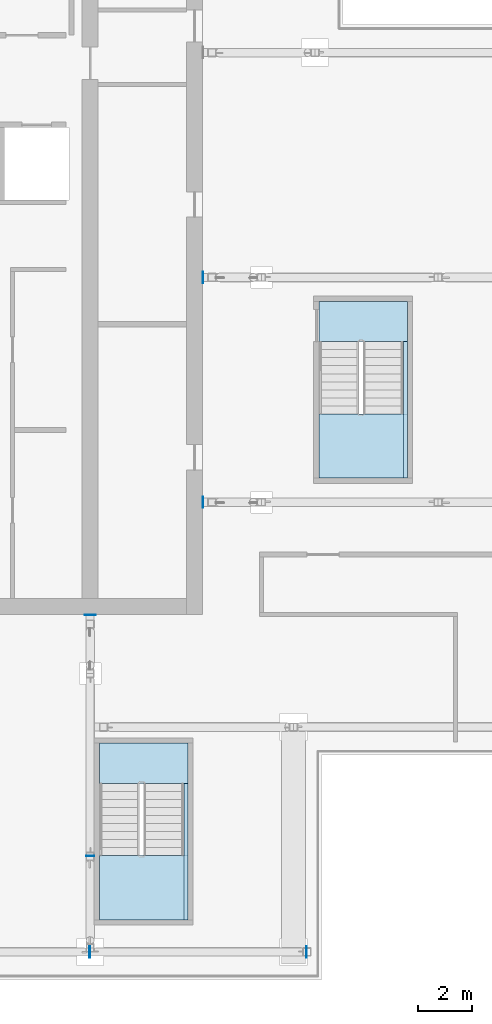
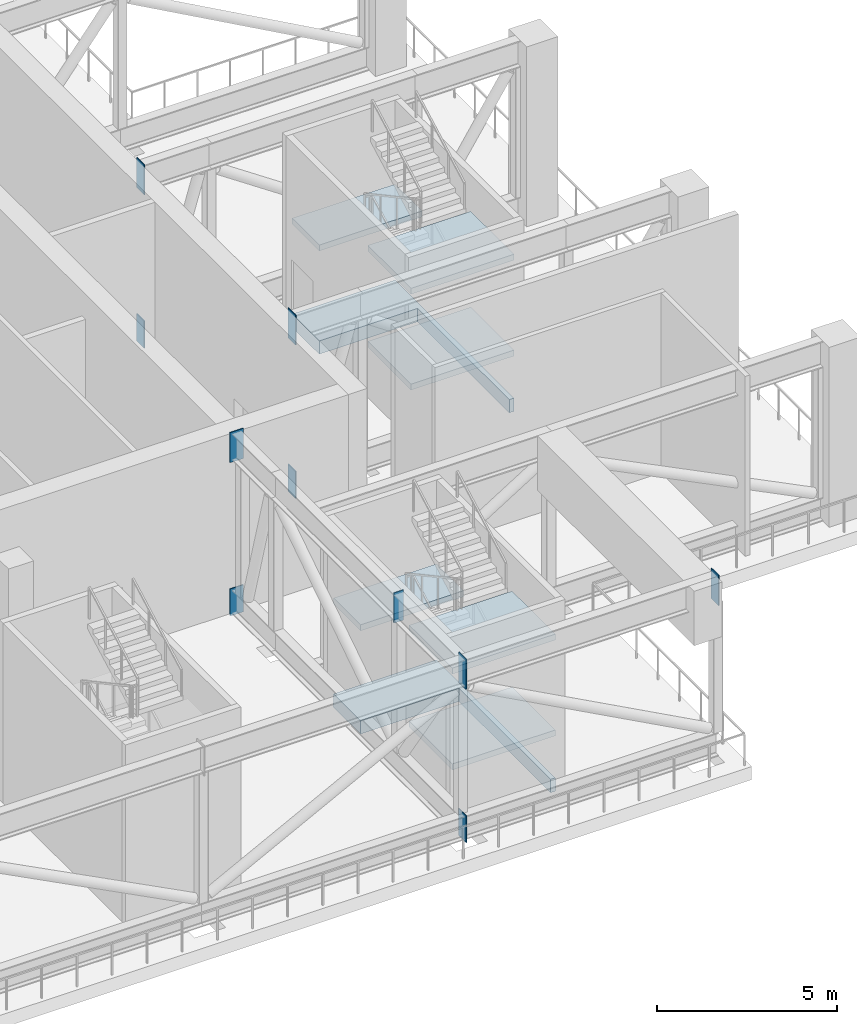
# One storey, part 8 of 24: 10 plates, 8 slabs, 2 elements without a shape of their own.
"""IFC4 building model written with IfcOpenShell, lengths in metres."""

from ifc_helpers import new_model, si_unit, direction, frame, origin, origin_2d, place, context, subcontext, project, spatial, polyline, rectangle, outline, extrude, material, layer, layer_set, type_object, element, aggregate, save


model = new_model("IFC4")

# Units and contexts
model_context = context("Model", 3, precision=1e-05, world=origin(), true_north=direction((0.0, 1.0)))
body_context = subcontext(model_context, "Body", "Model", "MODEL_VIEW")
ifc_project = project(units=[si_unit("LENGTHUNIT", "METRE"), si_unit("AREAUNIT", "SQUARE_METRE"), si_unit("VOLUMEUNIT", "CUBIC_METRE"), si_unit("PLANEANGLEUNIT", "RADIAN"), si_unit("MASSUNIT", "GRAM", prefix="KILO")], contexts=[model_context])

# Site, building, storey
site_placement = place(None, origin())
site = spatial("IfcSite", under=ifc_project, at=site_placement, CompositionType="ELEMENT")
building_placement = place(site_placement, origin())
building = spatial("IfcBuilding", under=site, at=building_placement, Name="Vermilion Ogive Tower", CompositionType="ELEMENT")
storey_placement = place(building_placement, frame((0.0, 0.0, 216.949951171875)))
storey = spatial("IfcBuildingStorey", under=building, at=storey_placement, Name="L57", CompositionType="ELEMENT", Elevation=216.949951171875)

# Plates
ifc_material_1 = material(Name="Steel S355", Category="steel")
ifc_layer_1 = layer(ifc_material_1, 0.030029296875)
ifc_layer_set_1 = layer_set([ifc_layer_1], Name="Cast-in embed plate 30")
plate_type_1 = type_object("IfcPlateType", Name="Cast-in embed plate 30", PredefinedType="USERDEFINED", material=ifc_layer_set_1)
plate_1_placement = place(storey_placement, frame((12.614990234375, -4.199951171875, -0.059814453125), z_axis=(0.0, 0.0, 1.0), x_axis=(1.0, 0.0, 0.0)))
element("IfcPlate", 1, at=plate_1_placement, inside=storey, type_object=plate_type_1, Name="Cast-in embed plate L57-TR-EWE-4.2-B1 end 1", ObjectType="EMBED PLATE", PredefinedType="USERDEFINED", context=body_context, shape_type="SweptSolid", body=[
    extrude(rectangle(XDim=0.030029296875, YDim=0.419921875, at=origin_2d()), origin(), (0.0, 0.0, 1.0), 0.919921875),
])
plate_2_placement = place(storey_placement, frame((12.614990234375, -4.199951171875, 5.14013671875), z_axis=(0.0, 0.0, 1.0), x_axis=(1.0, 0.0, 0.0)))
element("IfcPlate", 2, at=plate_2_placement, inside=storey, type_object=plate_type_1, Name="Cast-in embed plate L57-TR-EWE-4.2-T3 end 1", ObjectType="EMBED PLATE", PredefinedType="USERDEFINED", context=body_context, shape_type="SweptSolid", body=[
    extrude(rectangle(XDim=0.030029296875, YDim=0.419921875, at=origin_2d()), origin(), (0.0, 0.0, 1.0), 1.02001953125),
])
plate_3_placement = place(storey_placement, frame((12.614990234375, 4.199951171875, -0.059814453125), z_axis=(0.0, 0.0, 1.0), x_axis=(1.0, 0.0, 0.0)))
element("IfcPlate", 3, at=plate_3_placement, inside=storey, type_object=plate_type_1, Name="Cast-in embed plate L57-TR-EWE+4.2-B1 end 1", ObjectType="EMBED PLATE", PredefinedType="USERDEFINED", context=body_context, shape_type="SweptSolid", body=[
    extrude(rectangle(XDim=0.030029296875, YDim=0.419921875, at=origin_2d()), origin(), (0.0, 0.0, 1.0), 0.919921875),
])
plate_4_placement = place(storey_placement, frame((12.614990234375, 4.199951171875, 5.14013671875), z_axis=(0.0, 0.0, 1.0), x_axis=(1.0, 0.0, 0.0)))
element("IfcPlate", 4, at=plate_4_placement, inside=storey, type_object=plate_type_1, Name="Cast-in embed plate L57-TR-EWE+4.2-T3 end 1", ObjectType="EMBED PLATE", PredefinedType="USERDEFINED", context=body_context, shape_type="SweptSolid", body=[
    extrude(rectangle(XDim=0.030029296875, YDim=0.419921875, at=origin_2d()), origin(), (0.0, 0.0, 1.0), 1.02001953125),
])
plate_5_placement = place(storey_placement, frame((8.39990234375, -8.4150390625, -0.059814453125), z_axis=(0.0, 0.0, 1.0), x_axis=(1.0, 0.0, 0.0)))
element("IfcPlate", 5, at=plate_5_placement, inside=storey, type_object=plate_type_1, Name="Cast-in embed plate L57-TR-NS+8.4-B1 end 1", ObjectType="EMBED PLATE", PredefinedType="USERDEFINED", context=body_context, shape_type="SweptSolid", body=[
    extrude(rectangle(XDim=0.419921875, YDim=0.030029296875, at=origin_2d()), origin(), (0.0, 0.0, 1.0), 0.919921875),
])
plate_6_placement = place(storey_placement, frame((8.39990234375, -8.4150390625, 5.14013671875), z_axis=(0.0, 0.0, 1.0), x_axis=(1.0, 0.0, 0.0)))
element("IfcPlate", 6, at=plate_6_placement, inside=storey, type_object=plate_type_1, Name="Cast-in embed plate L57-TR-NS+8.4-T3 end 1", ObjectType="EMBED PLATE", PredefinedType="USERDEFINED", context=body_context, shape_type="SweptSolid", body=[
    extrude(rectangle(XDim=0.419921875, YDim=0.030029296875, at=origin_2d()), origin(), (0.0, 0.0, 1.0), 1.02001953125),
])
plate_7_placement = place(storey_placement, frame((8.39990234375, -17.418212890625, 5.14013671875), z_axis=(0.0, 0.0, 1.0), x_axis=(1.0, 0.0, 0.0)))
element("IfcPlate", 7, at=plate_7_placement, inside=storey, type_object=plate_type_1, Name="Cast-in embed plate L57-TR-NS+8.4-T4 end 2", ObjectType="EMBED PLATE", PredefinedType="USERDEFINED", context=body_context, shape_type="SweptSolid", body=[
    extrude(rectangle(XDim=0.300048828125, YDim=0.030029296875, at=origin_2d()), origin(), (0.0, 0.0, 1.0), 1.02001953125),
])
ifc_material_2 = material(Name="Steel S355", Category="steel")
ifc_layer_2 = layer(ifc_material_2, 0.030029296875)
ifc_layer_set_2 = layer_set([ifc_layer_2], Name="Connection end plate 30")
plate_type_2 = type_object("IfcPlateType", Name="Connection end plate 30", PredefinedType="USERDEFINED", material=ifc_layer_set_2)
plate_8_placement = place(storey_placement, frame((8.385009765625, -21.0, -0.059814453125), z_axis=(0.0, 0.0, 1.0), x_axis=(1.0, 0.0, 0.0)))
element("IfcPlate", 8, at=plate_8_placement, inside=storey, type_object=plate_type_2, Name="End plate L57-TR-BELT-B3 end 2", ObjectType="END PLATE", PredefinedType="USERDEFINED", context=body_context, shape_type="SweptSolid", body=[
    extrude(rectangle(XDim=0.030029296875, YDim=0.419921875, at=origin_2d()), origin(), (0.0, 0.0, 1.0), 0.919921875),
])
for number, where, z_axis, x_axis, name in (
    (9, (8.385009765625, -21.0, 5.14013671875), (0.0, 0.0, 1.0), (1.0, 0.0, 0.0), "End plate L57-TR-BELT-T7 end 2"),
    (10, (16.485107421875, -21.0, 5.14013671875), (0.0, 0.0, 1.0), (1.0, 0.0, 0.0), "End plate L57-TR-BELT-T8 end 2"),
):
    element("IfcPlate", number, at=place(storey_placement, frame(where, z_axis=z_axis, x_axis=x_axis)), inside=storey, type_object=plate_type_2, Name=name, ObjectType="END PLATE", PredefinedType="USERDEFINED", context=body_context, shape_type="SweptSolid", body=[
        extrude(rectangle(XDim=0.030029296875, YDim=0.419921875, at=origin_2d()), origin(), (0.0, 0.0, 1.0), 1.02001953125),
    ])

# Slabs
ifc_material_3 = material(Name="Concrete B40", Category="concrete")
ifc_layer_3 = layer(ifc_material_3, 0.449951171875)
ifc_layer_set_3 = layer_set([ifc_layer_3], Name="Core floor slab 450 B40")
slab_type_1 = type_object("IfcSlabType", Name="Core floor slab 450 B40", PredefinedType="FLOOR", material=ifc_layer_set_3)
slab_1_placement = place(storey_placement, frame((0.0, 0.0, -0.449951171875)))
element("IfcSlab", 11, at=slab_1_placement, inside=storey, type_object=slab_type_1, Name="L57-SF-ST5-1", PredefinedType="FLOOR", context=body_context, shape_type="SweptSolid", body=[
    extrude(outline(polyline([(8.75, -13.199951171875), (8.75, -14.701904296875), (10.25, -14.701904296875), (10.25, -14.699951171875), (10.39990234375, -14.699951171875), (10.39990234375, -14.701904296875), (11.89990234375, -14.701904296875), (11.89990234375, -19.800048828125), (12.050048828125, -19.800048828125), (12.050048828125, -13.199951171875), (8.75, -13.199951171875)])), origin(), (0.0, 0.0, 1.0), 0.449951171875),
])
slab_2_placement = place(storey_placement, frame((0.0, 0.0, -0.449951171875)))
element("IfcSlab", 12, at=slab_2_placement, inside=storey, type_object=slab_type_1, Name="L57-SF-ST8-1", PredefinedType="FLOOR", context=body_context, shape_type="SweptSolid", body=[
    extrude(outline(polyline([(16.949951171875, 3.300048828125), (16.949951171875, 1.798095703125), (18.449951171875, 1.798095703125), (18.449951171875, 1.800048828125), (18.60009765625, 1.800048828125), (18.60009765625, 1.798095703125), (20.10009765625, 1.798095703125), (20.10009765625, -3.300048828125), (20.25, -3.300048828125), (20.25, 3.300048828125), (16.949951171875, 3.300048828125)])), origin(), (0.0, 0.0, 1.0), 0.449951171875),
])

# Stair, slabs
ifc_material_4 = material(Name="Concrete B40", Category="concrete")
stair_type = type_object("IfcStairType", Name="Exit stair 1500", PredefinedType="HALF_TURN_STAIR", material=ifc_material_4)
stair_1_placement = place(storey_placement, origin())
stair_1 = element("IfcStair", 13, at=stair_1_placement, inside=storey, type_object=stair_type, Name="L57 Exit Stair ST5", PredefinedType="HALF_TURN_STAIR")
ifc_material_5 = material(Name="Concrete B40", Category="concrete")
ifc_layer_4 = layer(ifc_material_5, 0.199951171875)
ifc_layer_set_4 = layer_set([ifc_layer_4], Name="Stair landing 200")
slab_type_2 = type_object("IfcSlabType", Name="Stair landing 200", PredefinedType="LANDING", material=ifc_layer_set_4)
slab_3_placement = place(storey_placement, frame((0.0, 0.0, 1.425048828125)))
slab_3 = element("IfcSlab", 14, at=slab_3_placement, type_object=slab_type_2, Name="ST5 landing 1", PredefinedType="LANDING", context=body_context, shape_type="SweptSolid", body=[
    extrude(outline(polyline([(12.050048828125, -17.39990234375), (11.89990234375, -17.39990234375), (11.89990234375, -17.39794921875), (10.39990234375, -17.39794921875), (10.39990234375, -17.39990234375), (10.25, -17.39990234375), (10.25, -17.39794921875), (8.75, -17.39794921875), (8.75, -19.800048828125), (12.050048828125, -19.800048828125), (12.050048828125, -17.39990234375)])), origin(), (0.0, 0.0, 1.0), 0.199951171875),
])
slab_4_placement = place(storey_placement, frame((0.0, 0.0, 3.050048828125)))
slab_4 = element("IfcSlab", 15, at=slab_4_placement, type_object=slab_type_2, Name="ST5 landing 2", PredefinedType="LANDING", context=body_context, shape_type="SweptSolid", body=[
    extrude(outline(polyline([(8.75, -13.199951171875), (8.75, -14.701904296875), (10.25, -14.701904296875), (10.25, -14.699951171875), (10.39990234375, -14.699951171875), (10.39990234375, -14.701904296875), (11.89990234375, -14.701904296875), (11.89990234375, -14.699951171875), (12.050048828125, -14.699951171875), (12.050048828125, -13.199951171875), (8.75, -13.199951171875)])), origin(), (0.0, 0.0, 1.0), 0.199951171875),
])
slab_5_placement = place(storey_placement, frame((0.0, 0.0, 4.675048828125)))
slab_5 = element("IfcSlab", 16, at=slab_5_placement, type_object=slab_type_2, Name="ST5 landing 3", PredefinedType="LANDING", context=body_context, shape_type="SweptSolid", body=[
    extrude(outline(polyline([(12.050048828125, -17.39990234375), (11.89990234375, -17.39990234375), (11.89990234375, -17.39794921875), (10.39990234375, -17.39794921875), (10.39990234375, -17.39990234375), (10.25, -17.39990234375), (10.25, -17.39794921875), (8.75, -17.39794921875), (8.75, -19.800048828125), (12.050048828125, -19.800048828125), (12.050048828125, -17.39990234375)])), origin(), (0.0, 0.0, 1.0), 0.199951171875),
])
aggregate(stair_1, [slab_3, slab_4, slab_5])

stair_2_placement = place(storey_placement, origin())
stair_2 = element("IfcStair", 17, at=stair_2_placement, inside=storey, type_object=stair_type, Name="L57 Exit Stair ST8", PredefinedType="HALF_TURN_STAIR")
slab_6_placement = place(storey_placement, frame((0.0, 0.0, 1.425048828125)))
slab_6 = element("IfcSlab", 18, at=slab_6_placement, type_object=slab_type_2, Name="ST8 landing 1", PredefinedType="LANDING", context=body_context, shape_type="SweptSolid", body=[
    extrude(outline(polyline([(20.25, -0.89990234375), (20.10009765625, -0.89990234375), (20.10009765625, -0.89794921875), (18.60009765625, -0.89794921875), (18.60009765625, -0.89990234375), (18.449951171875, -0.89990234375), (18.449951171875, -0.89794921875), (16.949951171875, -0.89794921875), (16.949951171875, -3.300048828125), (20.25, -3.300048828125), (20.25, -0.89990234375)])), origin(), (0.0, 0.0, 1.0), 0.199951171875),
])
slab_7_placement = place(storey_placement, frame((0.0, 0.0, 3.050048828125)))
slab_7 = element("IfcSlab", 19, at=slab_7_placement, type_object=slab_type_2, Name="ST8 landing 2", PredefinedType="LANDING", context=body_context, shape_type="SweptSolid", body=[
    extrude(outline(polyline([(16.949951171875, 3.300048828125), (16.949951171875, 1.798095703125), (18.449951171875, 1.798095703125), (18.449951171875, 1.800048828125), (18.60009765625, 1.800048828125), (18.60009765625, 1.798095703125), (20.10009765625, 1.798095703125), (20.10009765625, 1.800048828125), (20.25, 1.800048828125), (20.25, 3.300048828125), (16.949951171875, 3.300048828125)])), origin(), (0.0, 0.0, 1.0), 0.199951171875),
])
slab_8_placement = place(storey_placement, frame((0.0, 0.0, 4.675048828125)))
slab_8 = element("IfcSlab", 20, at=slab_8_placement, type_object=slab_type_2, Name="ST8 landing 3", PredefinedType="LANDING", context=body_context, shape_type="SweptSolid", body=[
    extrude(outline(polyline([(20.25, -0.89990234375), (20.10009765625, -0.89990234375), (20.10009765625, -0.89794921875), (18.60009765625, -0.89794921875), (18.60009765625, -0.89990234375), (18.449951171875, -0.89990234375), (18.449951171875, -0.89794921875), (16.949951171875, -0.89794921875), (16.949951171875, -3.300048828125), (20.25, -3.300048828125), (20.25, -0.89990234375)])), origin(), (0.0, 0.0, 1.0), 0.199951171875),
])
aggregate(stair_2, [slab_6, slab_7, slab_8])

save(model, "model.ifc")
